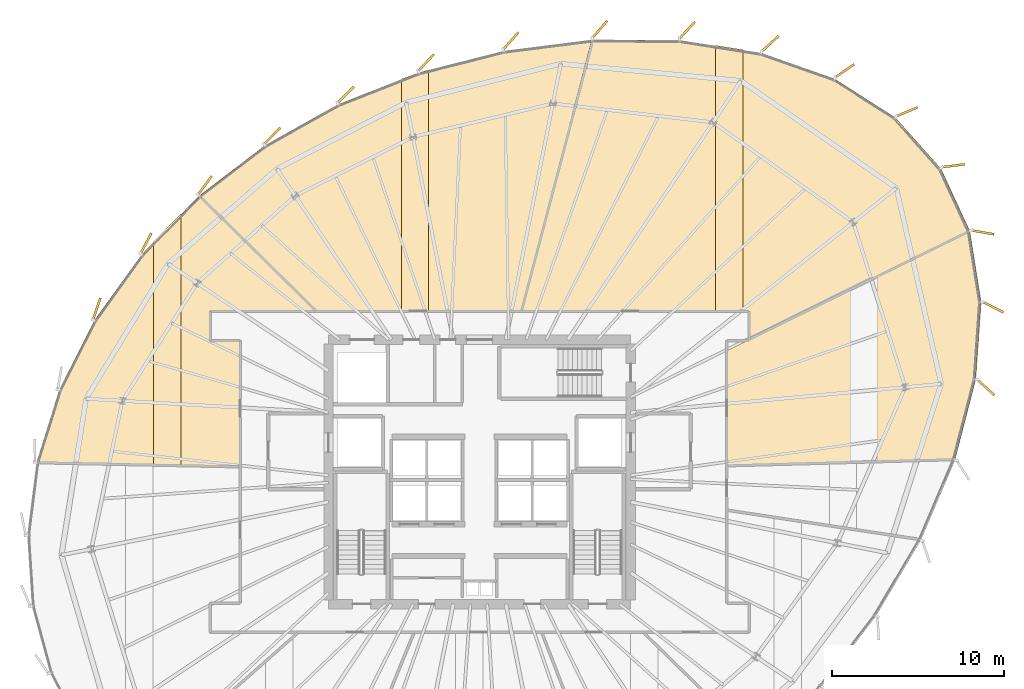
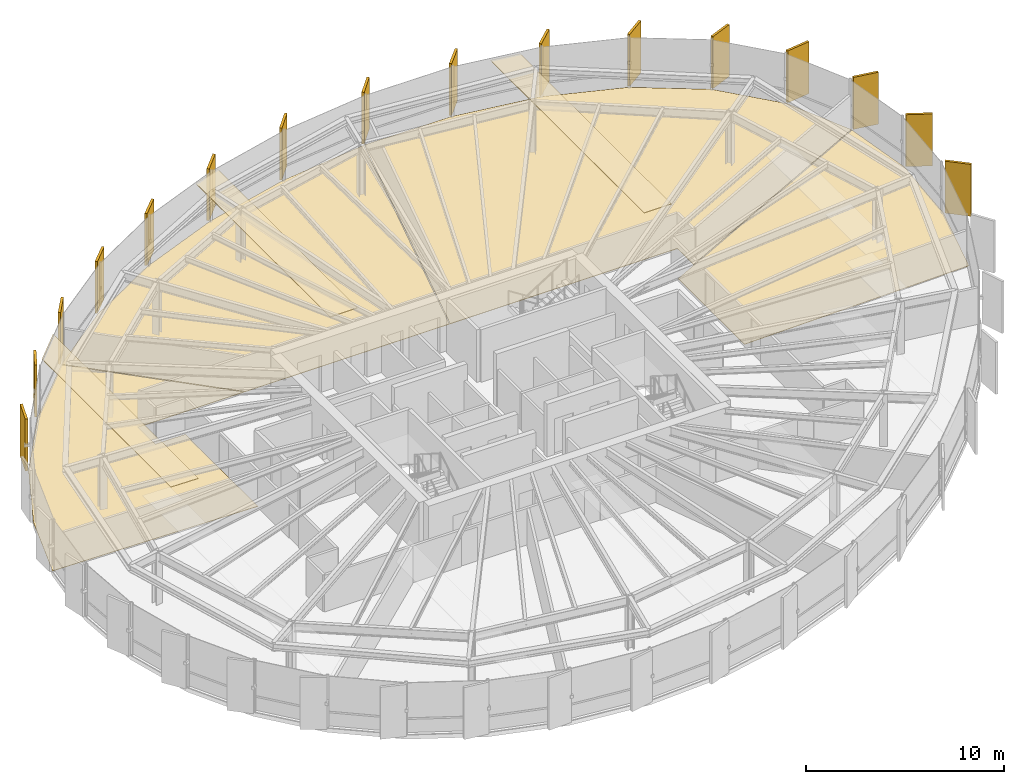
# One storey, part 35 of 35: 23 coverings.
"""IFC4 building model written with IfcOpenShell, lengths in metres."""

from ifc_helpers import new_model, si_unit, direction, frame, origin, origin_2d, place, context, subcontext, project, spatial, polyline, rectangle, outline, extrude, source, transform, mapped, material, layer, layer_set, type_object, element, save


model = new_model("IFC4")

# Units and contexts
model_context = context("Model", 3, precision=1e-05, world=origin(), true_north=direction((0.0, 1.0)))
body_context = subcontext(model_context, "Body", "Model", "MODEL_VIEW")
ifc_project = project(units=[si_unit("LENGTHUNIT", "METRE"), si_unit("AREAUNIT", "SQUARE_METRE"), si_unit("VOLUMEUNIT", "CUBIC_METRE"), si_unit("PLANEANGLEUNIT", "RADIAN"), si_unit("MASSUNIT", "GRAM", prefix="KILO"), si_unit("THERMODYNAMICTEMPERATUREUNIT", "KELVIN")], contexts=[model_context])

# Site, building, storey
site_placement = place(None, origin())
site = spatial("IfcSite", under=ifc_project, at=site_placement, CompositionType="ELEMENT")
building_placement = place(site_placement, origin())
building = spatial("IfcBuilding", under=site, at=building_placement, Name="Kethvar Cultural Tower", CompositionType="ELEMENT")
storey_placement = place(building_placement, frame((0.0, 0.0, 167.85009765625)))
storey = spatial("IfcBuildingStorey", under=building, at=storey_placement, Name="L43", CompositionType="ELEMENT", Elevation=167.85009765625)

# Coverings
ifc_material_1 = material(Name="Acoustic Mineral Fibre Ceiling")
ifc_layer_1 = layer(ifc_material_1, 0.0400390625, Name="Acoustic Mineral Fibre Ceiling")
ifc_layer_set_1 = layer_set([ifc_layer_1], Name="Acoustic Mineral Fibre Ceiling (40 mm)")
covering_type_1 = type_object("IfcCoveringType", Name="CV-ACOUSTIC-CEIL", PredefinedType="CEILING", material=ifc_layer_set_1)
covering_1_placement = place(storey_placement, frame((0.0, 0.0, 2.889892578125)))
element("IfcCovering", 1, at=covering_1_placement, inside=storey, type_object=covering_type_1, Name="L43 Room 07 Acoustic Ceiling Panel", PredefinedType="CEILING", context=body_context, shape_type="SweptSolid", body=[
    extrude(outline(polyline([(62.135498046875, 52.395751953125), (62.135498046875, 37.1298828125), (60.54541015625, 37.1298828125), (60.54541015625, 52.64404296875), (62.135498046875, 52.395751953125)])), origin(), (0.0, 0.0, 1.0), 0.0400390625),
])
covering_2_placement = place(storey_placement, frame((0.0, 0.0, 2.889892578125)))
element("IfcCovering", 2, at=covering_2_placement, inside=storey, type_object=covering_type_1, Name="L43 Room 08 Acoustic Ceiling Panel", PredefinedType="CEILING", context=body_context, shape_type="SweptSolid", body=[
    extrude(outline(polyline([(42.248779296875, 50.69140625), (43.8388671875, 51.234130859375), (43.8388671875, 37.1298828125), (42.248779296875, 37.1298828125), (42.248779296875, 50.69140625)])), origin(), (0.0, 0.0, 1.0), 0.0400390625),
])
covering_3_placement = place(storey_placement, frame((0.0, 0.0, 2.889892578125)))
element("IfcCovering", 3, at=covering_3_placement, inside=storey, type_object=covering_type_1, Name="L43 Room 09 Acoustic Ceiling Panel", PredefinedType="CEILING", context=body_context, shape_type="SweptSolid", body=[
    extrude(outline(polyline([(29.392578125, 42.828857421875), (29.392578125, 28.151611328125), (27.802490234375, 28.185546875), (27.802490234375, 41.2001953125), (29.392578125, 42.828857421875)])), origin(), (0.0, 0.0, 1.0), 0.0400390625),
])
ifc_material_2 = material(Name="Architectural Oak Timber", Category="wood")
ifc_layer_2 = layer(ifc_material_2, 0.02490234375, Name="Architectural Oak Timber", Category="wood")
ifc_layer_set_2 = layer_set([ifc_layer_2], Name="Architectural Oak Timber (25 mm)")
covering_type_2 = type_object("IfcCoveringType", Name="CV-OAK-FLOOR", PredefinedType="FLOORING", material=ifc_layer_set_2)
covering_4_placement = place(storey_placement, origin())
element("IfcCovering", 4, at=covering_4_placement, inside=storey, type_object=covering_type_2, Name="L43 Room 06 Floor Finish", PredefinedType="FLOORING", context=body_context, shape_type="SweptSolid", body=[
    extrude(outline(polyline([(76.01611328125, 37.68701171875), (75.7001953125, 33.1796875), (74.490478515625, 28.50927734375), (61.219970703125, 28.178955078125), (61.219970703125, 34.8623046875), (75.35498046875, 41.80712890625), (76.01611328125, 37.68701171875)])), origin(), (0.0, 0.0, 1.0), 0.02490234375),
])
covering_5_placement = place(storey_placement, origin())
element("IfcCovering", 5, at=covering_5_placement, inside=storey, type_object=covering_type_2, Name="L43 Room 07 Floor Finish", PredefinedType="FLOORING", context=body_context, shape_type="SweptSolid", body=[
    extrude(outline(polyline([(58.4345703125, 52.933349609375), (63.215087890625, 52.1865234375), (67.47705078125, 50.686767578125), (71.01611328125, 48.430419921875), (73.673583984375, 45.45263671875), (75.343994140625, 41.84619140625), (62.52001953125, 35.545654296875), (62.501953125, 37.169921875), (49.26318359375, 37.169921875), (53.379150390625, 52.958984375), (58.4345703125, 52.933349609375)])), origin(), (0.0, 0.0, 1.0), 0.02490234375),
])
covering_6_placement = place(storey_placement, origin())
element("IfcCovering", 6, at=covering_6_placement, inside=storey, type_object=covering_type_2, Name="L43 Room 08 Floor Finish", PredefinedType="FLOORING", context=body_context, shape_type="SweptSolid", body=[
    extrude(outline(polyline([(34.31103515625, 46.812744140625), (38.57568359375, 49.200439453125), (43.2509765625, 51.043212890625), (48.235107421875, 52.311279296875), (53.3369140625, 52.95556640625), (49.221923828125, 37.169921875), (37.31396484375, 37.169921875), (30.489501953125, 43.890625), (34.31103515625, 46.812744140625)])), origin(), (0.0, 0.0, 1.0), 0.02490234375),
])
covering_7_placement = place(storey_placement, origin())
element("IfcCovering", 7, at=covering_7_placement, inside=storey, type_object=covering_type_2, Name="L43 Room 09 Floor Finish", PredefinedType="FLOORING", context=body_context, shape_type="SweptSolid", body=[
    extrude(outline(polyline([(22.322021484375, 32.568603515625), (24.38525390625, 36.6455078125), (27.1298828125, 40.453857421875), (30.459228515625, 43.8642578125), (37.2568359375, 37.169921875), (31.08251953125, 37.159423828125), (31.0859375, 35.435791015625), (32.830078125, 35.429931640625), (32.830078125, 28.1181640625), (21.010009765625, 28.37060546875), (22.322021484375, 32.568603515625)])), origin(), (0.0, 0.0, 1.0), 0.02490234375),
])
ifc_material_3 = material(Name="Extruded Architectural Terracotta", Category="masonry")
ifc_layer_3 = layer(ifc_material_3, 0.135009765625, Name="Extruded Architectural Terracotta", Category="masonry")
ifc_layer_set_3 = layer_set([ifc_layer_3], Name="Extruded Architectural Terracotta (135 mm)")
covering_type_3 = type_object("IfcCoveringType", Name="Terracotta Facade Fin FIN-02", PredefinedType="CLADDING", material=ifc_layer_set_3)
shared_shape = source(origin(), body_context, "Body", "SweptSolid", [
    extrude(rectangle(XDim=1.35009765625, YDim=0.135009765625, at=origin_2d()), origin(), (0.0, 0.0, 1.0), 3.199951171875),
])
for number, where, z_axis, x_axis, name in (
    (8, (74.393798828125, 45.6337890625, 0.02001953125), (0.0, 0.0, 1.0), (0.991558389436, 0.12966094377, 0.0), "L43 Vertical Terracotta Fin 1.1"),
    (9, (71.694580078125, 48.774658203125, 0.02001953125), (0.0, 0.0, 1.0), (0.922065927899, 0.387032846937, 0.0), "L43 Vertical Terracotta Fin 1.2"),
    (10, (68.068115234375, 51.1630859375, 0.02001953125), (0.0, 0.0, 1.0), (0.823433577977, 0.567412674039, 0.0), "L43 Vertical Terracotta Fin 1.3"),
    (11, (63.72900390625, 52.7421875, 0.02001953125), (0.0, 0.0, 1.0), (0.735978938766, 0.67700443255, 0.0), "L43 Vertical Terracotta Fin 1.4"),
    (12, (58.894287109375, 53.529296875, 0.02001953125), (0.0, 0.0, 1.0), (0.678287926333, 0.734796222766, 0.0), "L43 Vertical Terracotta Fin 1.5"),
    (13, (53.795654296875, 53.568603515625, 0.02001953125), (0.0, 0.0, 1.0), (0.654608882429, 0.755967731484, 0.0), "L43 Vertical Terracotta Fin 1.6"),
    (14, (48.6201171875, 52.905517578125, 0.02001953125), (0.0, 0.0, 1.0), (0.661049986881, 0.750341865315, 0.0), "L43 Vertical Terracotta Fin 2.1"),
    (15, (43.67578125, 51.63037109375, 0.02001953125), (0.0, 0.0, 1.0), (0.682253609109, 0.73111559473, 0.0), "L43 Vertical Terracotta Fin 2.2"),
    (16, (39.002685546875, 49.768310546875, 0.02001953125), (0.0, 0.0, 1.0), (0.703270634186, 0.710922228581, 0.0), "L43 Vertical Terracotta Fin 2.3"),
    (17, (34.725341796875, 47.373779296875, 0.02001953125), (0.0, 0.0, 1.0), (0.702028770313, 0.712148583972, 0.0), "L43 Vertical Terracotta Fin 2.4"),
    (18, (30.801513671875, 44.492431640625, 0.02001953125), (0.0, 0.0, 1.0), (0.592153830802, 0.805824944182, 0.0), "L43 Vertical Terracotta Fin 2.5"),
    (19, (27.3642578125, 41.110595703125, 0.02001953125), (0.0, 0.0, 1.0), (0.466077834922, 0.884743720969, 0.0), "L43 Vertical Terracotta Fin 2.6"),
    (20, (24.4970703125, 37.296142578125, 0.02001953125), (0.0, 0.0, 1.0), (0.322926502501, 0.946424045543, 0.0), "L43 Vertical Terracotta Fin 3.1"),
    (21, (76.297119140625, 32.714599609375, 0.02001953125), (0.0, 0.0, 1.0), (0.736923497556, -0.6759761525, 0.0), "L43 Vertical Terracotta Fin 6.4"),
    (22, (76.717041015625, 37.394775390625, 0.02001953125), (0.0, 0.0, 1.0), (0.891481453292, -0.453057191132, 0.0), "L43 Vertical Terracotta Fin 6.5"),
    (23, (76.108154296875, 41.755126953125, 0.02001953125), (0.0, 0.0, 1.0), (0.985229115235, -0.171241322388, 0.0), "L43 Vertical Terracotta Fin 6.6"),
):
    element("IfcCovering", number, at=place(storey_placement, frame(where, z_axis=z_axis, x_axis=x_axis)), inside=storey, type_object=covering_type_3, Name=name, PredefinedType="CLADDING", context=body_context, shape_type="MappedRepresentation", body=[
        mapped(shared_shape, transform((0.0, 0.0, 0.0), scale=1.0)),
    ])

save(model, "model.ifc")
